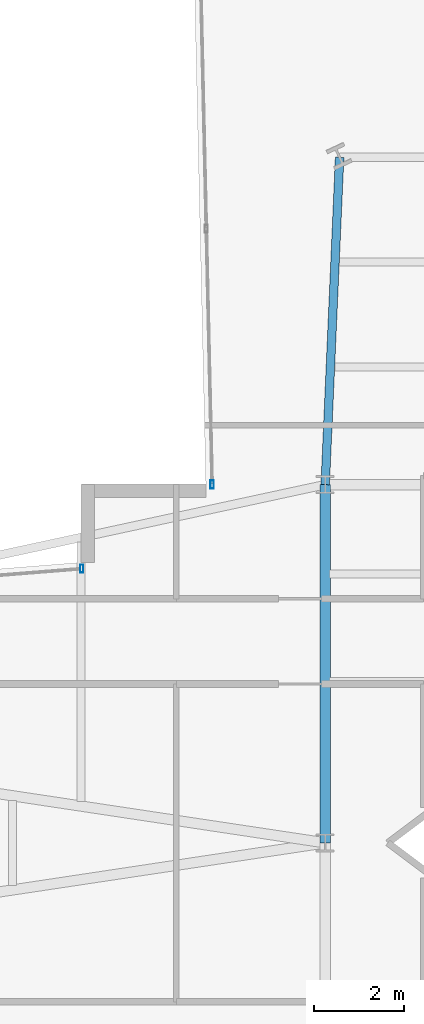
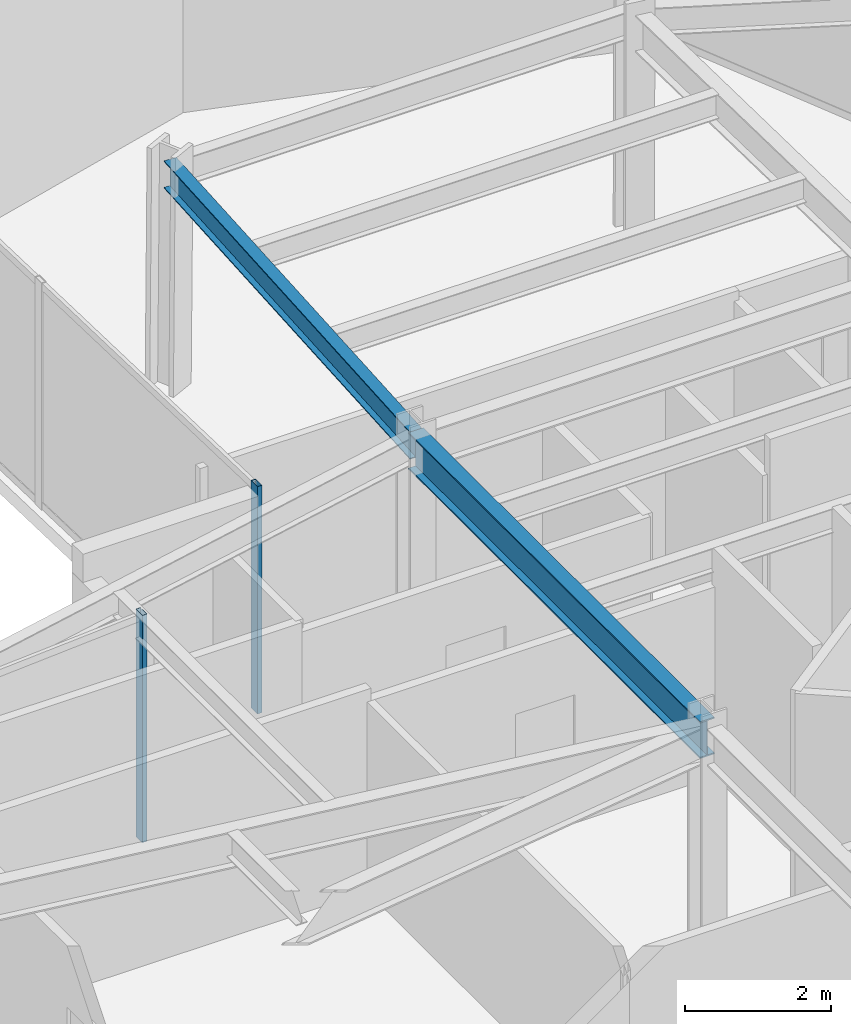
# One storey, part 9 of 27: 2 beams, 2 members, 2 elements without a shape of their own.
"""IFC4 building model written with IfcOpenShell, lengths in metres."""

from ifc_helpers import new_model, si_unit, direction, frame, origin, origin_2d, place, context, subcontext, project, spatial, hollow_rectangle, i_section, extrude, material, layer, layer_set, material_profile, profile_set, type_object, element, aggregate, save


model = new_model("IFC4")

# Units and contexts
model_context = context("Model", 3, precision=1e-05, world=origin(), true_north=direction((0.0, 1.0)))
body_context = subcontext(model_context, "Body", "Model", "MODEL_VIEW")
ifc_project = project(units=[si_unit("LENGTHUNIT", "METRE"), si_unit("AREAUNIT", "SQUARE_METRE"), si_unit("VOLUMEUNIT", "CUBIC_METRE"), si_unit("PLANEANGLEUNIT", "RADIAN"), si_unit("MASSUNIT", "GRAM", prefix="KILO")], contexts=[model_context])

# Site, building, storey
site_placement = place(None, origin())
site = spatial("IfcSite", under=ifc_project, at=site_placement, CompositionType="ELEMENT")
building_placement = place(site_placement, origin())
building = spatial("IfcBuilding", under=site, at=building_placement, Name="Veymaron Broadcast Tower", CompositionType="ELEMENT")
storey_placement = place(building_placement, frame((0.0, 0.0, 86.39990234375)))
storey = spatial("IfcBuildingStorey", under=building, at=storey_placement, Name="L19", CompositionType="ELEMENT", Elevation=86.39990234375)

# Beams
ifc_material_1 = material(Name="Structural steel ASTM A992 Gr 50", Category="steel")
ifc_material_profile_1 = material_profile(ifc_material_1, i_section(OverallWidth=0.22998046875, OverallDepth=0.616943359375, WebThickness=0.01318359375, FlangeThickness=0.022216796875, at=origin_2d()), Name="W610X140")
ifc_profile_set_1 = profile_set([ifc_material_profile_1], Name="Structural steel ASTM A992 Gr 50")
beam_type_1 = type_object("IfcBeamType", Name="BM-FG1", PredefinedType="BEAM", material=ifc_profile_set_1)
beam_1_placement = place(storey_placement, frame((31.199951171875, 24.0, 3.501708984375), z_axis=(0.0, 1.0, 0.0), x_axis=(-1.0, 0.0, 0.0)))
element("IfcBeam", 1, at=beam_1_placement, inside=storey, type_object=beam_type_1, Name="L19 primary structural floor girder", PredefinedType="BEAM", context=body_context, shape_type="SweptSolid", body=[
    extrude(i_section(OverallWidth=0.22998046875, OverallDepth=0.616943359375, WebThickness=0.01318359375, FlangeThickness=0.022216796875, at=origin_2d()), origin(), (0.0, 0.0, 1.0), 8.0),
])
ifc_material_profile_2 = material_profile(ifc_material_1, i_section(OverallWidth=0.19091796875, OverallDepth=0.4599609375, WebThickness=0.010009765625, FlangeThickness=0.01611328125, at=origin_2d()), Name="W460X82")
ifc_profile_set_2 = profile_set([ifc_material_profile_2], Name="Structural steel ASTM A992 Gr 50")
beam_type_2 = type_object("IfcBeamType", Name="BM-SP1", PredefinedType="SPANDREL", material=ifc_profile_set_2)
beam_2_placement = place(storey_placement, frame((31.199951171875, 32.0, 3.580078125), z_axis=(0.044009152951, 0.999031127872, 0.0), x_axis=(-0.999031127872, 0.044009152951, 0.0)))
element("IfcBeam", 2, at=beam_2_placement, inside=storey, type_object=beam_type_2, Name="L19 primary structural floor girder", PredefinedType="SPANDREL", context=body_context, shape_type="SweptSolid", body=[
    extrude(i_section(OverallWidth=0.19091796875, OverallDepth=0.4599609375, WebThickness=0.010009765625, FlangeThickness=0.01611328125, at=origin_2d()), origin(), (0.0, 0.0, 1.0), 7.317138671875),
])

# Curtain wall, member
ifc_material_2 = material(Name="Anodised aluminium AA 6063-T6 and laminated low-E dark glass", Category="aluminium")
ifc_layer = layer(ifc_material_2, 0.179931640625)
ifc_layer_set = layer_set([ifc_layer], Name="Anodised aluminium AA 6063-T6 and laminated low-E dark glass")
curtain_wall_type = type_object("IfcCurtainWallType", Name="CW-SYS-02", PredefinedType="NOTDEFINED", material=ifc_layer_set)
curtain_wall_1_placement = place(storey_placement, origin())
curtain_wall_1 = element("IfcCurtainWall", 3, at=curtain_wall_1_placement, inside=storey, type_object=curtain_wall_type, Name="L19 dark-glass curtain wall CW-L19-E9-1", PredefinedType="NOTDEFINED")
ifc_material_3 = material(Name="Anodised aluminium AA 6063-T6", Category="aluminium")
ifc_material_profile_3 = material_profile(ifc_material_3, hollow_rectangle(XDim=0.074951171875, YDim=0.179931640625, WallThickness=0.0048828125, at=origin_2d()), Name="AL180X75X5")
ifc_profile_set_3 = profile_set([ifc_material_profile_3], Name="Anodised aluminium AA 6063-T6")
member_type = type_object("IfcMemberType", Name="CW-MUL-02", PredefinedType="MULLION", material=ifc_profile_set_3)
member_1_placement = place(storey_placement, frame((28.673828125, 32.003173828125, 0.0), z_axis=(0.0, 0.0, 1.0), x_axis=(1.0, 0.0, 0.0)))
member_1 = element("IfcMember", 4, at=member_1_placement, type_object=member_type, Name="CW-L19-E9-1 mullion 2", PredefinedType="MULLION", context=body_context, shape_type="SweptSolid", body=[
    extrude(hollow_rectangle(XDim=0.074951171875, YDim=0.179931640625, WallThickness=0.0048828125, at=origin_2d()), origin(), (0.0, 0.0, 1.0), 3.81005859375),
])
aggregate(curtain_wall_1, [member_1])

curtain_wall_2_placement = place(storey_placement, origin())
curtain_wall_2 = element("IfcCurtainWall", 5, at=curtain_wall_2_placement, inside=storey, type_object=curtain_wall_type, Name="L19 dark-glass curtain wall CW-L19-E12-1", PredefinedType="NOTDEFINED")
member_2_placement = place(storey_placement, frame((25.76318359375, 30.12451171875, 0.0), z_axis=(0.0, 0.0, 1.0), x_axis=(1.0, 0.0, 0.0)))
member_2 = element("IfcMember", 6, at=member_2_placement, type_object=member_type, Name="CW-L19-E12-1 mullion 0", PredefinedType="MULLION", context=body_context, shape_type="SweptSolid", body=[
    extrude(hollow_rectangle(XDim=0.074951171875, YDim=0.179931640625, WallThickness=0.0048828125, at=origin_2d()), origin(), (0.0, 0.0, 1.0), 3.81005859375),
])
aggregate(curtain_wall_2, [member_2])

save(model, "model.ifc")
